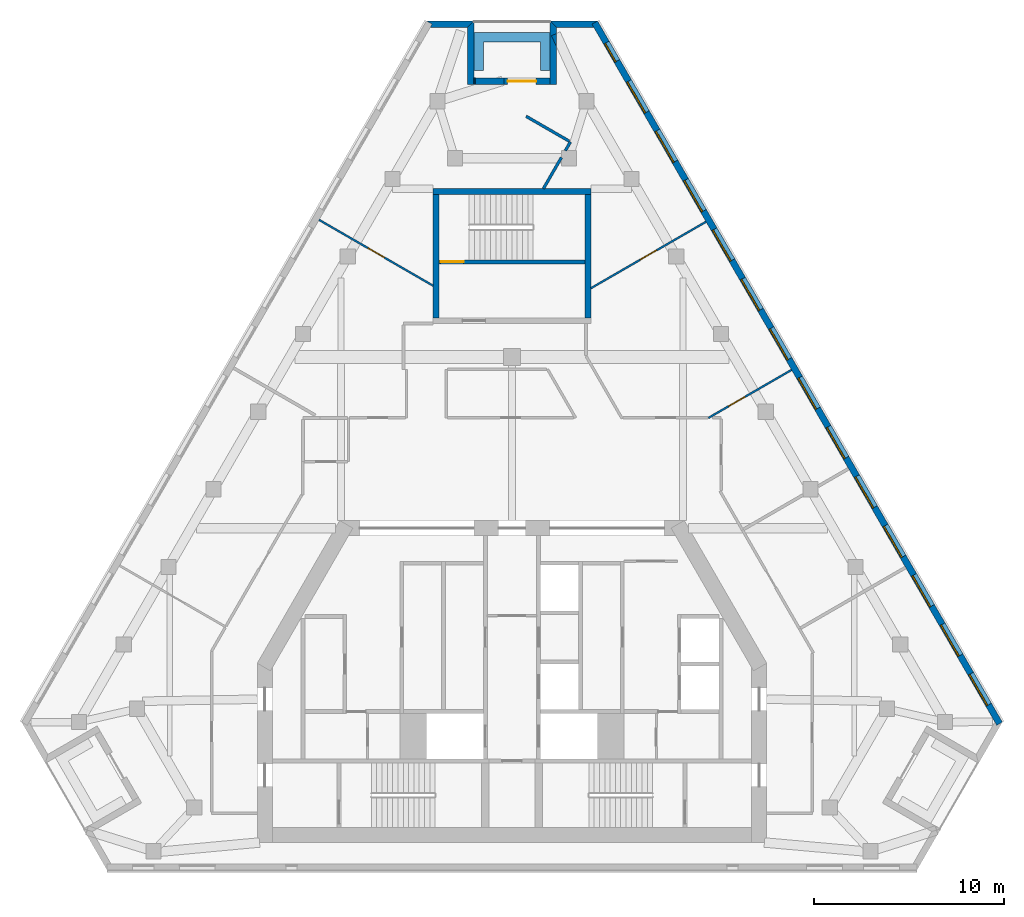
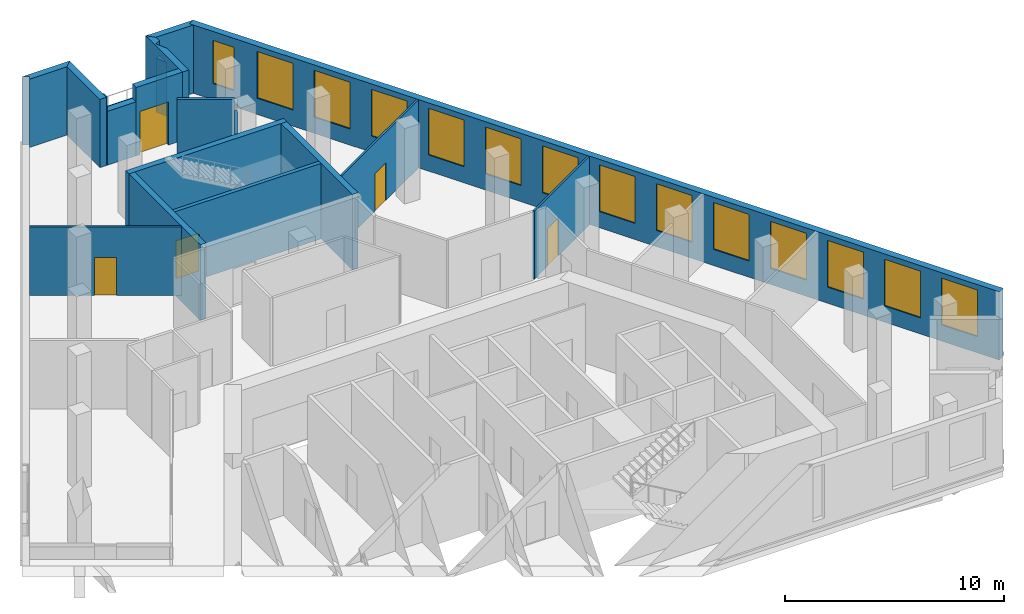
# One storey, part 6 of 8: 20 walls, 14 windows, 5 doors, 19 openings.
"""IFC4 building model written with IfcOpenShell, lengths in metres."""

from ifc_helpers import new_model, si_unit, direction, frame, frame_2d, origin, place, context, subcontext, project, spatial, polyline, rectangle, outline, extrude, material, layer, layer_set, type_object, element, fill, save


model = new_model("IFC4")

# Units and contexts
model_context = context("Model", 3, precision=1e-05, world=origin(), true_north=direction((0.0, 1.0)))
body_context = subcontext(model_context, "Body", "Model", "MODEL_VIEW")
ifc_project = project(units=[si_unit("LENGTHUNIT", "METRE"), si_unit("AREAUNIT", "SQUARE_METRE"), si_unit("VOLUMEUNIT", "CUBIC_METRE"), si_unit("PLANEANGLEUNIT", "RADIAN"), si_unit("MASSUNIT", "GRAM", prefix="KILO")], contexts=[model_context])

# Site, building, storey
site_placement = place(None, origin())
site = spatial("IfcSite", under=ifc_project, at=site_placement, CompositionType="ELEMENT")
building_placement = place(site_placement, origin())
building = spatial("IfcBuilding", under=site, at=building_placement, Name="Fogline Exchange Tower", CompositionType="ELEMENT")
storey_placement = place(building_placement, frame((0.0, 0.0, 270.89990234375)))
storey = spatial("IfcBuildingStorey", under=building, at=storey_placement, Name="L61", CompositionType="ELEMENT", Elevation=270.89990234375)

# Wall, opening, door
ifc_material_1 = material(Name="Concrete C40", Category="concrete")
ifc_layer_1 = layer(ifc_material_1, 0.199951171875)
ifc_layer_set_1 = layer_set([ifc_layer_1], Name="CW20R")
wall_type_1 = type_object("IfcWallType", Name="CW20R", PredefinedType="SOLIDWALL", material=ifc_layer_set_1)
wall_1_placement = place(storey_placement, frame((-3.85009765625, 32.007080078125, -0.39990234375), z_axis=(0.0, 0.0, 1.0), x_axis=(1.0, 0.0, 0.0)))
wall_1 = element("IfcWall", 1, at=wall_1_placement, inside=storey, type_object=wall_type_1, Name="Stair enclosure wall ST3", PredefinedType="SOLIDWALL", context=body_context, shape_type="SweptSolid", body=[
    extrude(rectangle(XDim=7.7001953125, YDim=0.199951171875, at=frame_2d((3.85009765625, 0.0))), origin(), (0.0, 0.0, 1.0), 4.199951171875),
])
opening_1_placement = place(wall_1_placement, frame((0.10009765625, 0.0, 0.39990234375)))
opening_1 = element("IfcOpeningElement", 2, at=opening_1_placement, cuts=wall_1, Name="Opening T19-C023", PredefinedType="OPENING", context=body_context, shape_type="SweptSolid", body=[
    extrude(rectangle(XDim=1.199951171875, YDim=2.10009765625, at=frame_2d((0.60009765625, 1.050048828125))), frame((0.0, 0.10986328125, 0.0), z_axis=(0.0, -1.0, 0.0), x_axis=(1.0, 0.0, 0.0)), (0.0, 0.0, 1.0), 0.219970703125),
])
ifc_material_2 = material(Name="Steel and timber fire door", Category="steel")
door_type_1 = type_object("IfcDoorType", Name="D-ST1", OperationType="SINGLE_SWING_LEFT", PredefinedType="DOOR", material=ifc_material_2)
door_1_placement = place(opening_1_placement, origin())
door_1 = element("IfcDoor", 3, at=door_1_placement, inside=storey, type_object=door_type_1, Name="Stair door ST3", OperationType="SINGLE_SWING_LEFT", OverallHeight=2.10009765625, OverallWidth=1.199951171875, PredefinedType="DOOR", context=body_context, shape_type="SweptSolid", body=[
    extrude(rectangle(XDim=1.199951171875, YDim=2.10009765625, at=frame_2d((0.60009765625, 1.050048828125))), frame((0.0, 0.02490234375, 0.0), z_axis=(0.0, -1.0, 0.0), x_axis=(1.0, 0.0, 0.0)), (0.0, 0.0, 1.0), 0.050048828125),
])
fill(opening_1, door_1)

# Walls
ifc_layer_2 = layer(ifc_material_1, 0.300048828125)
ifc_layer_set_2 = layer_set([ifc_layer_2], Name="CW30")
wall_type_2 = type_object("IfcWallType", Name="CW30", PredefinedType="SOLIDWALL", material=ifc_layer_set_2)
wall_2_placement = place(storey_placement, frame((-4.14990234375, 35.70703125, -0.39990234375), z_axis=(0.0, 0.0, 1.0), x_axis=(1.0, 0.0, 0.0)))
element("IfcWall", 4, at=wall_2_placement, inside=storey, type_object=wall_type_2, Name="Stair enclosure wall ST3", PredefinedType="SOLIDWALL", context=body_context, shape_type="SweptSolid", body=[
    extrude(rectangle(XDim=8.2998046875, YDim=0.300048828125, at=frame_2d((4.14990234375, 0.0))), origin(), (0.0, 0.0, 1.0), 4.199951171875),
])
for number, where, z_axis, x_axis, name in (
    (5, (-4.0, 29.056884765625, -0.39990234375), (0.0, 0.0, 1.0), (0.0, 1.0, 0.0), "Stair enclosure wall ST3"),
    (6, (4.0, 29.056884765625, -0.39990234375), (0.0, 0.0, 1.0), (0.0, 1.0, 0.0), "Stair enclosure wall ST3"),
):
    element("IfcWall", number, at=place(storey_placement, frame(where, z_axis=z_axis, x_axis=x_axis)), inside=storey, type_object=wall_type_2, Name=name, PredefinedType="SOLIDWALL", context=body_context, shape_type="SweptSolid", body=[
        extrude(rectangle(XDim=6.5, YDim=0.300048828125, at=frame_2d((3.25, 0.0))), origin(), (0.0, 0.0, 1.0), 4.199951171875),
    ])

# Wall, openings, windows
ifc_material_3 = material(Name="Brick masonry", Category="masonry")
ifc_layer_3 = layer(ifc_material_3, 0.340087890625)
ifc_layer_set_3 = layer_set([ifc_layer_3], Name="FW1")
wall_type_3 = type_object("IfcWallType", Name="FW1", PredefinedType="SOLIDWALL", material=ifc_layer_set_3)
wall_3_placement = place(storey_placement, frame((25.649658203125, 7.709228515625, 0.0), z_axis=(0.0, 0.0, 1.0), x_axis=(-0.499998153541, 0.866026469835, 0.0)))
wall_3 = element("IfcWall", 7, at=wall_3_placement, inside=storey, type_object=wall_type_3, Name="Brick wall L61 E", PredefinedType="SOLIDWALL", context=body_context, shape_type="SweptSolid", body=[
    extrude(rectangle(XDim=42.593994140625, YDim=0.340087890625, at=frame_2d((21.296875, 0.0))), origin(), (0.0, 0.0, 1.0), 3.800048828125),
])
opening_2_placement = place(wall_3_placement, frame((1.1484375, 0.0, 0.89990234375)))
opening_2 = element("IfcOpeningElement", 8, at=opening_2_placement, cuts=wall_3, Name="Opening W3", PredefinedType="OPENING", context=body_context, shape_type="SweptSolid", body=[
    extrude(rectangle(XDim=1.885009765625, YDim=2.60009765625, at=frame_2d((0.9423828125, 1.300048828125))), frame((0.0, 0.18017578125, 0.0), z_axis=(0.0, -1.0, 0.0), x_axis=(1.0, 0.0, 0.0)), (0.0, 0.0, 1.0), 0.360107421875),
])
opening_3_placement = place(wall_3_placement, frame((4.1484375, 0.0, 0.89990234375)))
opening_3 = element("IfcOpeningElement", 9, at=opening_3_placement, cuts=wall_3, Name="Opening W3", PredefinedType="OPENING", context=body_context, shape_type="SweptSolid", body=[
    extrude(rectangle(XDim=1.885009765625, YDim=2.60009765625, at=frame_2d((0.9423828125, 1.300048828125))), frame((0.0, 0.18017578125, 0.0), z_axis=(0.0, -1.0, 0.0), x_axis=(1.0, 0.0, 0.0)), (0.0, 0.0, 1.0), 0.360107421875),
])
opening_4_placement = place(wall_3_placement, frame((7.1484375, 0.0, 0.89990234375)))
opening_4 = element("IfcOpeningElement", 10, at=opening_4_placement, cuts=wall_3, Name="Opening W3", PredefinedType="OPENING", context=body_context, shape_type="SweptSolid", body=[
    extrude(rectangle(XDim=1.885009765625, YDim=2.60009765625, at=frame_2d((0.9423828125, 1.300048828125))), frame((0.0, 0.18017578125, 0.0), z_axis=(0.0, -1.0, 0.0), x_axis=(1.0, 0.0, 0.0)), (0.0, 0.0, 1.0), 0.360107421875),
])
opening_5_placement = place(wall_3_placement, frame((10.1484375, 0.0, 0.89990234375)))
opening_5 = element("IfcOpeningElement", 11, at=opening_5_placement, cuts=wall_3, Name="Opening W3", PredefinedType="OPENING", context=body_context, shape_type="SweptSolid", body=[
    extrude(rectangle(XDim=1.885009765625, YDim=2.60009765625, at=frame_2d((0.9423828125, 1.300048828125))), frame((0.0, 0.18017578125, 0.0), z_axis=(0.0, -1.0, 0.0), x_axis=(1.0, 0.0, 0.0)), (0.0, 0.0, 1.0), 0.360107421875),
])
opening_6_placement = place(wall_3_placement, frame((13.1484375, 0.0, 0.89990234375)))
opening_6 = element("IfcOpeningElement", 12, at=opening_6_placement, cuts=wall_3, Name="Opening W3", PredefinedType="OPENING", context=body_context, shape_type="SweptSolid", body=[
    extrude(rectangle(XDim=1.885009765625, YDim=2.60009765625, at=frame_2d((0.9423828125, 1.300048828125))), frame((0.0, 0.18017578125, 0.0), z_axis=(0.0, -1.0, 0.0), x_axis=(1.0, 0.0, 0.0)), (0.0, 0.0, 1.0), 0.360107421875),
])
opening_7_placement = place(wall_3_placement, frame((16.1484375, 0.0, 0.89990234375)))
opening_7 = element("IfcOpeningElement", 13, at=opening_7_placement, cuts=wall_3, Name="Opening W3", PredefinedType="OPENING", context=body_context, shape_type="SweptSolid", body=[
    extrude(rectangle(XDim=1.885009765625, YDim=2.60009765625, at=frame_2d((0.9423828125, 1.300048828125))), frame((0.0, 0.18017578125, 0.0), z_axis=(0.0, -1.0, 0.0), x_axis=(1.0, 0.0, 0.0)), (0.0, 0.0, 1.0), 0.360107421875),
])
opening_8_placement = place(wall_3_placement, frame((19.1484375, 0.0, 0.89990234375)))
opening_8 = element("IfcOpeningElement", 14, at=opening_8_placement, cuts=wall_3, Name="Opening W3", PredefinedType="OPENING", context=body_context, shape_type="SweptSolid", body=[
    extrude(rectangle(XDim=1.885009765625, YDim=2.60009765625, at=frame_2d((0.9423828125, 1.300048828125))), frame((0.0, 0.18017578125, 0.0), z_axis=(0.0, -1.0, 0.0), x_axis=(1.0, 0.0, 0.0)), (0.0, 0.0, 1.0), 0.360107421875),
])
opening_9_placement = place(wall_3_placement, frame((22.1484375, 0.0, 0.89990234375)))
opening_9 = element("IfcOpeningElement", 15, at=opening_9_placement, cuts=wall_3, Name="Opening W3", PredefinedType="OPENING", context=body_context, shape_type="SweptSolid", body=[
    extrude(rectangle(XDim=1.885009765625, YDim=2.60009765625, at=frame_2d((0.9423828125, 1.300048828125))), frame((0.0, 0.18017578125, 0.0), z_axis=(0.0, -1.0, 0.0), x_axis=(1.0, 0.0, 0.0)), (0.0, 0.0, 1.0), 0.360107421875),
])
opening_10_placement = place(wall_3_placement, frame((25.1484375, 0.0, 0.89990234375)))
opening_10 = element("IfcOpeningElement", 16, at=opening_10_placement, cuts=wall_3, Name="Opening W3", PredefinedType="OPENING", context=body_context, shape_type="SweptSolid", body=[
    extrude(rectangle(XDim=1.885009765625, YDim=2.60009765625, at=frame_2d((0.9423828125, 1.300048828125))), frame((0.0, 0.18017578125, 0.0), z_axis=(0.0, -1.0, 0.0), x_axis=(1.0, 0.0, 0.0)), (0.0, 0.0, 1.0), 0.360107421875),
])
opening_11_placement = place(wall_3_placement, frame((28.1484375, 0.0, 0.89990234375)))
opening_11 = element("IfcOpeningElement", 17, at=opening_11_placement, cuts=wall_3, Name="Opening W3", PredefinedType="OPENING", context=body_context, shape_type="SweptSolid", body=[
    extrude(rectangle(XDim=1.885009765625, YDim=2.60009765625, at=frame_2d((0.9423828125, 1.300048828125))), frame((0.0, 0.18017578125, 0.0), z_axis=(0.0, -1.0, 0.0), x_axis=(1.0, 0.0, 0.0)), (0.0, 0.0, 1.0), 0.360107421875),
])
opening_12_placement = place(wall_3_placement, frame((31.1484375, 0.0, 0.89990234375)))
opening_12 = element("IfcOpeningElement", 18, at=opening_12_placement, cuts=wall_3, Name="Opening W3", PredefinedType="OPENING", context=body_context, shape_type="SweptSolid", body=[
    extrude(rectangle(XDim=1.885009765625, YDim=2.60009765625, at=frame_2d((0.9423828125, 1.300048828125))), frame((0.0, 0.18017578125, 0.0), z_axis=(0.0, -1.0, 0.0), x_axis=(1.0, 0.0, 0.0)), (0.0, 0.0, 1.0), 0.360107421875),
])
opening_13_placement = place(wall_3_placement, frame((34.1484375, 0.0, 0.89990234375)))
opening_13 = element("IfcOpeningElement", 19, at=opening_13_placement, cuts=wall_3, Name="Opening W3", PredefinedType="OPENING", context=body_context, shape_type="SweptSolid", body=[
    extrude(rectangle(XDim=1.885009765625, YDim=2.60009765625, at=frame_2d((0.9423828125, 1.300048828125))), frame((0.0, 0.18017578125, 0.0), z_axis=(0.0, -1.0, 0.0), x_axis=(1.0, 0.0, 0.0)), (0.0, 0.0, 1.0), 0.360107421875),
])
opening_14_placement = place(wall_3_placement, frame((37.1484375, 0.0, 0.89990234375)))
opening_14 = element("IfcOpeningElement", 20, at=opening_14_placement, cuts=wall_3, Name="Opening W3", PredefinedType="OPENING", context=body_context, shape_type="SweptSolid", body=[
    extrude(rectangle(XDim=1.885009765625, YDim=2.60009765625, at=frame_2d((0.9423828125, 1.300048828125))), frame((0.0, 0.18017578125, 0.0), z_axis=(0.0, -1.0, 0.0), x_axis=(1.0, 0.0, 0.0)), (0.0, 0.0, 1.0), 0.360107421875),
])
opening_15_placement = place(wall_3_placement, frame((40.256103515625, 0.0, 0.89990234375)))
opening_15 = element("IfcOpeningElement", 21, at=opening_15_placement, cuts=wall_3, Name="Opening W4", PredefinedType="OPENING", context=body_context, shape_type="SweptSolid", body=[
    extrude(rectangle(XDim=1.114990234375, YDim=2.39990234375, at=frame_2d((0.5576171875, 1.199951171875))), frame((0.0, 0.18017578125, 0.0), z_axis=(0.0, -1.0, 0.0), x_axis=(1.0, 0.0, 0.0)), (0.0, 0.0, 1.0), 0.360107421875),
])
ifc_material_4 = material(Name="Aluminium and glass", Category="aluminium")
window_type_1 = type_object("IfcWindowType", Name="W3", PartitioningType="SINGLE_PANEL", PredefinedType="WINDOW", material=ifc_material_4)
window_1_placement = place(opening_2_placement, origin())
window_1 = element("IfcWindow", 22, at=window_1_placement, inside=storey, type_object=window_type_1, Name="W3 W3", OverallHeight=2.60009765625, OverallWidth=1.885009765625, PartitioningType="SINGLE_PANEL", PredefinedType="WINDOW", context=body_context, shape_type="SweptSolid", body=[
    extrude(rectangle(XDim=1.885009765625, YDim=2.60009765625, at=frame_2d((0.9423828125, 1.300048828125))), frame((0.0, 0.110107421875, 0.0), z_axis=(0.0, -1.0, 0.0), x_axis=(1.0, 0.0, 0.0)), (0.0, 0.0, 1.0), 0.06005859375),
])
fill(opening_2, window_1)
window_2_placement = place(opening_3_placement, origin())
window_2 = element("IfcWindow", 23, at=window_2_placement, inside=storey, type_object=window_type_1, Name="W3 W3", OverallHeight=2.60009765625, OverallWidth=1.885009765625, PartitioningType="SINGLE_PANEL", PredefinedType="WINDOW", context=body_context, shape_type="SweptSolid", body=[
    extrude(rectangle(XDim=1.885009765625, YDim=2.60009765625, at=frame_2d((0.9423828125, 1.300048828125))), frame((0.0, 0.110107421875, 0.0), z_axis=(0.0, -1.0, 0.0), x_axis=(1.0, 0.0, 0.0)), (0.0, 0.0, 1.0), 0.06005859375),
])
fill(opening_3, window_2)
window_3_placement = place(opening_4_placement, origin())
window_3 = element("IfcWindow", 24, at=window_3_placement, inside=storey, type_object=window_type_1, Name="W3 W3", OverallHeight=2.60009765625, OverallWidth=1.885009765625, PartitioningType="SINGLE_PANEL", PredefinedType="WINDOW", context=body_context, shape_type="SweptSolid", body=[
    extrude(rectangle(XDim=1.885009765625, YDim=2.60009765625, at=frame_2d((0.9423828125, 1.300048828125))), frame((0.0, 0.110107421875, 0.0), z_axis=(0.0, -1.0, 0.0), x_axis=(1.0, 0.0, 0.0)), (0.0, 0.0, 1.0), 0.06005859375),
])
fill(opening_4, window_3)
window_4_placement = place(opening_5_placement, origin())
window_4 = element("IfcWindow", 25, at=window_4_placement, inside=storey, type_object=window_type_1, Name="W3 W3", OverallHeight=2.60009765625, OverallWidth=1.885009765625, PartitioningType="SINGLE_PANEL", PredefinedType="WINDOW", context=body_context, shape_type="SweptSolid", body=[
    extrude(rectangle(XDim=1.885009765625, YDim=2.60009765625, at=frame_2d((0.9423828125, 1.300048828125))), frame((0.0, 0.110107421875, 0.0), z_axis=(0.0, -1.0, 0.0), x_axis=(1.0, 0.0, 0.0)), (0.0, 0.0, 1.0), 0.06005859375),
])
fill(opening_5, window_4)
window_5_placement = place(opening_6_placement, origin())
window_5 = element("IfcWindow", 26, at=window_5_placement, inside=storey, type_object=window_type_1, Name="W3 W3", OverallHeight=2.60009765625, OverallWidth=1.885009765625, PartitioningType="SINGLE_PANEL", PredefinedType="WINDOW", context=body_context, shape_type="SweptSolid", body=[
    extrude(rectangle(XDim=1.885009765625, YDim=2.60009765625, at=frame_2d((0.9423828125, 1.300048828125))), frame((0.0, 0.110107421875, 0.0), z_axis=(0.0, -1.0, 0.0), x_axis=(1.0, 0.0, 0.0)), (0.0, 0.0, 1.0), 0.06005859375),
])
fill(opening_6, window_5)
window_6_placement = place(opening_7_placement, origin())
window_6 = element("IfcWindow", 27, at=window_6_placement, inside=storey, type_object=window_type_1, Name="W3 W3", OverallHeight=2.60009765625, OverallWidth=1.885009765625, PartitioningType="SINGLE_PANEL", PredefinedType="WINDOW", context=body_context, shape_type="SweptSolid", body=[
    extrude(rectangle(XDim=1.885009765625, YDim=2.60009765625, at=frame_2d((0.9423828125, 1.300048828125))), frame((0.0, 0.110107421875, 0.0), z_axis=(0.0, -1.0, 0.0), x_axis=(1.0, 0.0, 0.0)), (0.0, 0.0, 1.0), 0.06005859375),
])
fill(opening_7, window_6)
window_7_placement = place(opening_8_placement, origin())
window_7 = element("IfcWindow", 28, at=window_7_placement, inside=storey, type_object=window_type_1, Name="W3 W3", OverallHeight=2.60009765625, OverallWidth=1.885009765625, PartitioningType="SINGLE_PANEL", PredefinedType="WINDOW", context=body_context, shape_type="SweptSolid", body=[
    extrude(rectangle(XDim=1.885009765625, YDim=2.60009765625, at=frame_2d((0.9423828125, 1.300048828125))), frame((0.0, 0.110107421875, 0.0), z_axis=(0.0, -1.0, 0.0), x_axis=(1.0, 0.0, 0.0)), (0.0, 0.0, 1.0), 0.06005859375),
])
fill(opening_8, window_7)
window_8_placement = place(opening_9_placement, origin())
window_8 = element("IfcWindow", 29, at=window_8_placement, inside=storey, type_object=window_type_1, Name="W3 W3", OverallHeight=2.60009765625, OverallWidth=1.885009765625, PartitioningType="SINGLE_PANEL", PredefinedType="WINDOW", context=body_context, shape_type="SweptSolid", body=[
    extrude(rectangle(XDim=1.885009765625, YDim=2.60009765625, at=frame_2d((0.9423828125, 1.300048828125))), frame((0.0, 0.110107421875, 0.0), z_axis=(0.0, -1.0, 0.0), x_axis=(1.0, 0.0, 0.0)), (0.0, 0.0, 1.0), 0.06005859375),
])
fill(opening_9, window_8)
window_9_placement = place(opening_10_placement, origin())
window_9 = element("IfcWindow", 30, at=window_9_placement, inside=storey, type_object=window_type_1, Name="W3 W3", OverallHeight=2.60009765625, OverallWidth=1.885009765625, PartitioningType="SINGLE_PANEL", PredefinedType="WINDOW", context=body_context, shape_type="SweptSolid", body=[
    extrude(rectangle(XDim=1.885009765625, YDim=2.60009765625, at=frame_2d((0.9423828125, 1.300048828125))), frame((0.0, 0.110107421875, 0.0), z_axis=(0.0, -1.0, 0.0), x_axis=(1.0, 0.0, 0.0)), (0.0, 0.0, 1.0), 0.06005859375),
])
fill(opening_10, window_9)
window_10_placement = place(opening_11_placement, origin())
window_10 = element("IfcWindow", 31, at=window_10_placement, inside=storey, type_object=window_type_1, Name="W3 W3", OverallHeight=2.60009765625, OverallWidth=1.885009765625, PartitioningType="SINGLE_PANEL", PredefinedType="WINDOW", context=body_context, shape_type="SweptSolid", body=[
    extrude(rectangle(XDim=1.885009765625, YDim=2.60009765625, at=frame_2d((0.9423828125, 1.300048828125))), frame((0.0, 0.110107421875, 0.0), z_axis=(0.0, -1.0, 0.0), x_axis=(1.0, 0.0, 0.0)), (0.0, 0.0, 1.0), 0.06005859375),
])
fill(opening_11, window_10)
window_11_placement = place(opening_12_placement, origin())
window_11 = element("IfcWindow", 32, at=window_11_placement, inside=storey, type_object=window_type_1, Name="W3 W3", OverallHeight=2.60009765625, OverallWidth=1.885009765625, PartitioningType="SINGLE_PANEL", PredefinedType="WINDOW", context=body_context, shape_type="SweptSolid", body=[
    extrude(rectangle(XDim=1.885009765625, YDim=2.60009765625, at=frame_2d((0.9423828125, 1.300048828125))), frame((0.0, 0.110107421875, 0.0), z_axis=(0.0, -1.0, 0.0), x_axis=(1.0, 0.0, 0.0)), (0.0, 0.0, 1.0), 0.06005859375),
])
fill(opening_12, window_11)
window_12_placement = place(opening_13_placement, origin())
window_12 = element("IfcWindow", 33, at=window_12_placement, inside=storey, type_object=window_type_1, Name="W3 W3", OverallHeight=2.60009765625, OverallWidth=1.885009765625, PartitioningType="SINGLE_PANEL", PredefinedType="WINDOW", context=body_context, shape_type="SweptSolid", body=[
    extrude(rectangle(XDim=1.885009765625, YDim=2.60009765625, at=frame_2d((0.9423828125, 1.300048828125))), frame((0.0, 0.110107421875, 0.0), z_axis=(0.0, -1.0, 0.0), x_axis=(1.0, 0.0, 0.0)), (0.0, 0.0, 1.0), 0.06005859375),
])
fill(opening_13, window_12)
window_13_placement = place(opening_14_placement, origin())
window_13 = element("IfcWindow", 34, at=window_13_placement, inside=storey, type_object=window_type_1, Name="W3 W3", OverallHeight=2.60009765625, OverallWidth=1.885009765625, PartitioningType="SINGLE_PANEL", PredefinedType="WINDOW", context=body_context, shape_type="SweptSolid", body=[
    extrude(rectangle(XDim=1.885009765625, YDim=2.60009765625, at=frame_2d((0.9423828125, 1.300048828125))), frame((0.0, 0.110107421875, 0.0), z_axis=(0.0, -1.0, 0.0), x_axis=(1.0, 0.0, 0.0)), (0.0, 0.0, 1.0), 0.06005859375),
])
fill(opening_14, window_13)
window_type_2 = type_object("IfcWindowType", Name="W4", PartitioningType="SINGLE_PANEL", PredefinedType="WINDOW", material=ifc_material_4)
window_14_placement = place(opening_15_placement, origin())
window_14 = element("IfcWindow", 35, at=window_14_placement, inside=storey, type_object=window_type_2, Name="W4 W4", OverallHeight=2.39990234375, OverallWidth=1.114990234375, PartitioningType="SINGLE_PANEL", PredefinedType="WINDOW", context=body_context, shape_type="SweptSolid", body=[
    extrude(rectangle(XDim=1.114990234375, YDim=2.39990234375, at=frame_2d((0.5576171875, 1.199951171875))), frame((0.0, 0.110107421875, 0.0), z_axis=(0.0, -1.0, 0.0), x_axis=(1.0, 0.0, 0.0)), (0.0, 0.0, 1.0), 0.06005859375),
])
fill(opening_15, window_14)

# Walls
wall_4_placement = place(storey_placement, origin())
element("IfcWall", 36, at=wall_4_placement, inside=storey, type_object=wall_type_3, Name="Brick wall L61 N-c1", PredefinedType="SOLIDWALL", context=body_context, shape_type="SweptSolid", body=[
    extrude(outline(polyline([(1.9990234375, 44.68212890625), (4.5009765625, 44.68212890625), (4.501220703125, 44.681640625), (4.206298828125, 44.511474609375), (4.3046875, 44.341064453125), (2.33984375, 44.341064453125), (1.998779296875, 44.681884765625), (1.9990234375, 44.68212890625)])), origin(), (0.0, 0.0, 1.0), 3.800048828125),
])
wall_5_placement = place(storey_placement, origin())
element("IfcWall", 37, at=wall_5_placement, inside=storey, type_object=wall_type_3, Name="Brick wall L61 N-s1", PredefinedType="SOLIDWALL", context=body_context, shape_type="SweptSolid", body=[
    extrude(outline(polyline([(2.340576171875, 43.32666015625), (2.078369140625, 43.902099609375), (2.340576171875, 44.021484375), (2.340576171875, 43.32666015625)])), origin(), (0.0, 0.0, 1.0), 3.0),
])
wall_6_placement = place(storey_placement, origin())
element("IfcWall", 38, at=wall_6_placement, inside=storey, type_object=wall_type_3, Name="Brick wall L61 N-s1", PredefinedType="SOLIDWALL", context=body_context, shape_type="SweptSolid", body=[
    extrude(outline(polyline([(1.99951171875, 41.341064453125), (1.99951171875, 44.6826171875), (1.999755859375, 44.682861328125), (2.340576171875, 44.341796875), (2.340576171875, 44.021484375), (2.078369140625, 43.902099609375), (2.340576171875, 43.32666015625), (2.340576171875, 41.341064453125), (1.99951171875, 41.341064453125)])), origin(), (0.0, 0.0, 1.0), 3.800048828125),
])

# Wall, opening, door
wall_7_placement = place(storey_placement, frame((2.0, 41.51171875, 0.0), z_axis=(0.0, 0.0, 1.0), x_axis=(-1.0, 0.0, 0.0)))
wall_7 = element("IfcWall", 39, at=wall_7_placement, inside=storey, type_object=wall_type_3, Name="Brick wall L61 N-bk", PredefinedType="SOLIDWALL", context=body_context, shape_type="SweptSolid", body=[
    extrude(rectangle(XDim=2.4296875, YDim=0.340087890625, at=frame_2d((1.21484375, 0.0))), origin(), (0.0, 0.0, 1.0), 3.800048828125),
])
opening_16_placement = place(wall_7_placement, frame((0.729736328125, 0.0, 0.0)))
opening_16 = element("IfcOpeningElement", 40, at=opening_16_placement, cuts=wall_7, Name="Opening T19-E141", PredefinedType="OPENING", context=body_context, shape_type="SweptSolid", body=[
    extrude(rectangle(XDim=1.5, YDim=2.39990234375, at=frame_2d((0.75, 1.199951171875))), frame((0.0, 0.18017578125, 0.0), z_axis=(0.0, -1.0, 0.0), x_axis=(1.0, 0.0, 0.0)), (0.0, 0.0, 1.0), 0.360107421875),
])
door_type_2 = type_object("IfcDoorType", Name="ED4", OperationType="SINGLE_SWING_LEFT", PredefinedType="DOOR", material=ifc_material_4)
door_2_placement = place(opening_16_placement, frame((1.5, 0.0, 0.0), z_axis=(0.0, 0.0, 1.0), x_axis=(-1.0, 0.0, 0.0)))
door_2 = element("IfcDoor", 41, at=door_2_placement, inside=storey, type_object=door_type_2, Name="Balcony door L61 N", OperationType="DOUBLE_DOOR_SINGLE_SWING", OverallHeight=2.39990234375, OverallWidth=1.5, PredefinedType="DOOR", context=body_context, shape_type="SweptSolid", body=[
    extrude(rectangle(XDim=1.5, YDim=2.39990234375, at=frame_2d((0.75, 1.199951171875))), frame((0.0, 0.02490234375, 0.0), z_axis=(0.0, -1.0, 0.0), x_axis=(1.0, 0.0, 0.0)), (0.0, 0.0, 1.0), 0.050048828125),
])
fill(opening_16, door_2)

# Walls
wall_8_placement = place(storey_placement, frame((-0.4296875, 41.51171875, 0.0), z_axis=(0.0, 0.0, 1.0), x_axis=(-1.0, 0.0, 0.0)))
element("IfcWall", 42, at=wall_8_placement, inside=storey, type_object=wall_type_3, Name="Brick wall L61 N-bk", PredefinedType="SOLIDWALL", context=body_context, shape_type="SweptSolid", body=[
    extrude(rectangle(XDim=1.504150390625, YDim=0.340087890625, at=frame_2d((0.751953125, 0.0))), origin(), (0.0, 0.0, 1.0), 3.0),
])
wall_9_placement = place(storey_placement, frame((-1.933837890625, 41.51171875, 0.0), z_axis=(0.0, 0.0, 1.0), x_axis=(-1.0, 0.0, 0.0)))
element("IfcWall", 43, at=wall_9_placement, inside=storey, type_object=wall_type_3, Name="Brick wall L61 N-bk", PredefinedType="SOLIDWALL", context=body_context, shape_type="SweptSolid", body=[
    extrude(rectangle(XDim=0.066162109375, YDim=0.340087890625, at=frame_2d((0.033203125, 0.0))), origin(), (0.0, 0.0, 1.0), 3.800048828125),
])
wall_10_placement = place(storey_placement, origin())
element("IfcWall", 44, at=wall_10_placement, inside=storey, type_object=wall_type_3, Name="Brick wall L61 N-s2", PredefinedType="SOLIDWALL", context=body_context, shape_type="SweptSolid", body=[
    extrude(outline(polyline([(-1.99951171875, 44.6826171875), (-1.99951171875, 41.341064453125), (-2.340576171875, 41.341064453125), (-2.340576171875, 44.341796875), (-1.999755859375, 44.682861328125), (-1.99951171875, 44.6826171875)])), origin(), (0.0, 0.0, 1.0), 3.800048828125),
])
wall_11_placement = place(storey_placement, origin())
element("IfcWall", 45, at=wall_11_placement, inside=storey, type_object=wall_type_3, Name="Brick wall L61 N-c2", PredefinedType="SOLIDWALL", context=body_context, shape_type="SweptSolid", body=[
    extrude(outline(polyline([(-4.3046875, 44.341064453125), (-4.206298828125, 44.511474609375), (-4.501220703125, 44.681640625), (-4.5009765625, 44.68212890625), (-1.9990234375, 44.68212890625), (-1.998779296875, 44.681884765625), (-2.33984375, 44.341064453125), (-4.3046875, 44.341064453125)])), origin(), (0.0, 0.0, 1.0), 3.800048828125),
])
ifc_material_5 = material(Name="Concrete C30", Category="concrete")
ifc_layer_4 = layer(ifc_material_5, 0.199951171875)
ifc_layer_set_4 = layer_set([ifc_layer_4], Name="PL1")
wall_type_4 = type_object("IfcWallType", Name="PL1", PredefinedType="USERDEFINED", material=ifc_layer_set_4)
wall_12_placement = place(storey_placement, origin())
element("IfcWall", 46, at=wall_12_placement, inside=storey, type_object=wall_type_4, Name="PLANTER balcony L61 N", ObjectType="PLANTER", PredefinedType="USERDEFINED", context=body_context, shape_type="SweptSolid", body=[
    extrude(outline(polyline([(-1.5, 44.081787109375), (-2.0, 44.081787109375), (-2.0, 43.581787109375), (-2.0, 42.081787109375), (-1.5, 42.081787109375), (-1.5, 43.581787109375), (1.5, 43.581787109375), (1.5, 42.081787109375), (2.0, 42.081787109375), (2.0, 43.581787109375), (2.0, 44.081787109375), (1.5, 44.081787109375), (-1.5, 44.081787109375)])), origin(), (0.0, 0.0, 1.0), 1.10009765625),
])

# Wall, opening, door
ifc_material_6 = material(Name="Plasterboard partition, 2 layers each side on steel studs", Category="steel")
ifc_layer_5 = layer(ifc_material_6, 0.10009765625)
ifc_layer_set_5 = layer_set([ifc_layer_5], Name="PW1")
wall_type_5 = type_object("IfcWallType", Name="PW1", PredefinedType="PARTITIONING", material=ifc_layer_set_5)
wall_13_placement = place(storey_placement, frame((10.337890625, 23.800048828125, 0.0), z_axis=(0.0, 0.0, 1.0), x_axis=(0.866030860659, 0.499990548297, 0.0)))
wall_13 = element("IfcWall", 47, at=wall_13_placement, inside=storey, type_object=wall_type_5, Name="wall-L61-W026", PredefinedType="PARTITIONING", context=body_context, shape_type="SweptSolid", body=[
    extrude(rectangle(XDim=5.044921875, YDim=0.10009765625, at=frame_2d((2.5224609375, 0.0))), origin(), (0.0, 0.0, 1.0), 3.800048828125),
])
opening_17_placement = place(wall_13_placement, frame((1.216796875, 0.0, 0.0)))
opening_17 = element("IfcOpeningElement", 48, at=opening_17_placement, cuts=wall_13, Name="Opening T19-D010", PredefinedType="OPENING", context=body_context, shape_type="SweptSolid", body=[
    extrude(rectangle(XDim=1.0, YDim=2.10009765625, at=frame_2d((0.5, 1.050048828125))), frame((0.0, 0.06005859375, 0.0), z_axis=(0.0, -1.0, 0.0), x_axis=(1.0, 0.0, 0.0)), (0.0, 0.0, 1.0), 0.1201171875),
])
ifc_material_7 = material(Name="Timber door leaf with steel frame", Category="steel")
door_type_3 = type_object("IfcDoorType", Name="D1", OperationType="SINGLE_SWING_LEFT", PredefinedType="DOOR", material=ifc_material_7)
door_3_placement = place(opening_17_placement, frame((1.0, 0.0, 0.0), z_axis=(0.0, 0.0, 1.0), x_axis=(-1.0, 0.0, 0.0)))
door_3 = element("IfcDoor", 49, at=door_3_placement, inside=storey, type_object=door_type_3, Name="door-L61-D010", OperationType="SINGLE_SWING_RIGHT", OverallHeight=2.10009765625, OverallWidth=1.0, PredefinedType="DOOR", context=body_context, shape_type="SweptSolid", body=[
    extrude(rectangle(XDim=1.0, YDim=2.10009765625, at=frame_2d((0.5, 1.050048828125))), frame((0.0, 0.02490234375, 0.0), z_axis=(0.0, -1.0, 0.0), x_axis=(1.0, 0.0, 0.0)), (0.0, 0.0, 1.0), 0.050048828125),
])
fill(opening_17, door_3)

wall_14_placement = place(storey_placement, frame((4.14990234375, 30.619873046875, 0.0), z_axis=(0.0, 0.0, 1.0), x_axis=(0.866041428101, 0.499972244042, 0.0)))
wall_14 = element("IfcWall", 50, at=wall_14_placement, inside=storey, type_object=wall_type_5, Name="wall-L61-W029", PredefinedType="PARTITIONING", context=body_context, shape_type="SweptSolid", body=[
    extrude(rectangle(XDim=6.994140625, YDim=0.10009765625, at=frame_2d((3.4970703125, 0.0))), origin(), (0.0, 0.0, 1.0), 3.800048828125),
])
opening_18_placement = place(wall_14_placement, frame((2.9970703125, 0.0, 0.0)))
opening_18 = element("IfcOpeningElement", 51, at=opening_18_placement, cuts=wall_14, Name="Opening T19-D011", PredefinedType="OPENING", context=body_context, shape_type="SweptSolid", body=[
    extrude(rectangle(XDim=1.0, YDim=2.10009765625, at=frame_2d((0.5, 1.050048828125))), frame((0.0, 0.06005859375, 0.0), z_axis=(0.0, -1.0, 0.0), x_axis=(1.0, 0.0, 0.0)), (0.0, 0.0, 1.0), 0.1201171875),
])
door_4_placement = place(opening_18_placement, origin())
door_4 = element("IfcDoor", 52, at=door_4_placement, inside=storey, type_object=door_type_3, Name="door-L61-D011", OperationType="SINGLE_SWING_LEFT", OverallHeight=2.10009765625, OverallWidth=1.0, PredefinedType="DOOR", context=body_context, shape_type="SweptSolid", body=[
    extrude(rectangle(XDim=1.0, YDim=2.10009765625, at=frame_2d((0.5, 1.050048828125))), frame((0.0, 0.02490234375, 0.0), z_axis=(0.0, -1.0, 0.0), x_axis=(1.0, 0.0, 0.0)), (0.0, 0.0, 1.0), 0.050048828125),
])
fill(opening_18, door_4)

wall_15_placement = place(storey_placement, frame((-4.14990234375, 30.752685546875, 0.0), z_axis=(0.0, 0.0, 1.0), x_axis=(-0.866037695882, 0.499978708858, 0.0)))
wall_15 = element("IfcWall", 53, at=wall_15_placement, inside=storey, type_object=wall_type_5, Name="wall-L61-W033", PredefinedType="PARTITIONING", context=body_context, shape_type="SweptSolid", body=[
    extrude(rectangle(XDim=6.927490234375, YDim=0.10009765625, at=frame_2d((3.4638671875, 0.0))), origin(), (0.0, 0.0, 1.0), 3.800048828125),
])
opening_19_placement = place(wall_15_placement, frame((2.9638671875, 0.0, 0.0)))
opening_19 = element("IfcOpeningElement", 54, at=opening_19_placement, cuts=wall_15, Name="Opening T19-D012", PredefinedType="OPENING", context=body_context, shape_type="SweptSolid", body=[
    extrude(rectangle(XDim=1.0, YDim=2.10009765625, at=frame_2d((0.5, 1.050048828125))), frame((0.0, 0.06005859375, 0.0), z_axis=(0.0, -1.0, 0.0), x_axis=(1.0, 0.0, 0.0)), (0.0, 0.0, 1.0), 0.1201171875),
])
door_5_placement = place(opening_19_placement, origin())
door_5 = element("IfcDoor", 55, at=door_5_placement, inside=storey, type_object=door_type_3, Name="door-L61-D012", OperationType="SINGLE_SWING_LEFT", OverallHeight=2.10009765625, OverallWidth=1.0, PredefinedType="DOOR", context=body_context, shape_type="SweptSolid", body=[
    extrude(rectangle(XDim=1.0, YDim=2.10009765625, at=frame_2d((0.5, 1.050048828125))), frame((0.0, 0.02490234375, 0.0), z_axis=(0.0, -1.0, 0.0), x_axis=(1.0, 0.0, 0.0)), (0.0, 0.0, 1.0), 0.050048828125),
])
fill(opening_19, door_5)

# Walls
ifc_material_8 = material(Name="Plasterboard demising partition with mineral wool and acoustic board")
ifc_layer_6 = layer(ifc_material_8, 0.14990234375)
ifc_layer_set_6 = layer_set([ifc_layer_6], Name="PW3")
wall_type_6 = type_object("IfcWallType", Name="PW3", PredefinedType="PARTITIONING", material=ifc_layer_set_6)
wall_16_placement = place(storey_placement, frame((1.65185546875, 35.85693359375, 0.0), z_axis=(0.0, 0.0, 1.0), x_axis=(0.500015905979, 0.866016220268, 0.0)))
element("IfcWall", 56, at=wall_16_placement, inside=storey, type_object=wall_type_6, Name="wall-L61-W030", PredefinedType="PARTITIONING", context=body_context, shape_type="SweptSolid", body=[
    extrude(rectangle(XDim=1.896484375, YDim=0.14990234375, at=frame_2d((0.9482421875, 0.0))), origin(), (0.0, 0.0, 1.0), 3.800048828125),
])
wall_17_placement = place(storey_placement, frame((2.806396484375, 37.856689453125, 0.0), z_axis=(0.0, 0.0, 1.0), x_axis=(0.500117793536, 0.865957384972, 0.0)))
element("IfcWall", 57, at=wall_17_placement, inside=storey, type_object=wall_type_6, Name="wall-L61-W031", PredefinedType="PARTITIONING", context=body_context, shape_type="SweptSolid", body=[
    extrude(rectangle(XDim=0.534423828125, YDim=0.14990234375, at=frame_2d((0.26708984375, 0.0))), origin(), (0.0, 0.0, 1.0), 3.800048828125),
])
wall_18_placement = place(storey_placement, frame((3.0087890625, 38.357177734375, 0.0), z_axis=(0.0, 0.0, 1.0), x_axis=(-0.866008611403, 0.50002908413, 0.0)))
element("IfcWall", 58, at=wall_18_placement, inside=storey, type_object=wall_type_6, Name="wall-L61-W032", PredefinedType="PARTITIONING", context=body_context, shape_type="SweptSolid", body=[
    extrude(rectangle(XDim=2.618896484375, YDim=0.14990234375, at=frame_2d((1.3095703125, 0.0))), origin(), (0.0, 0.0, 1.0), 3.800048828125),
])

save(model, "model.ifc")
